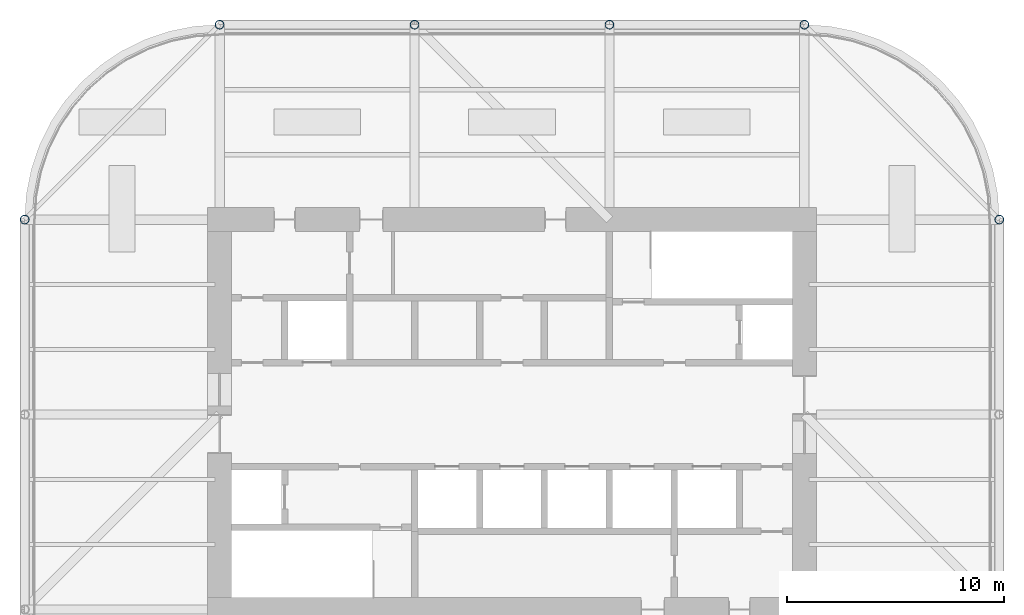
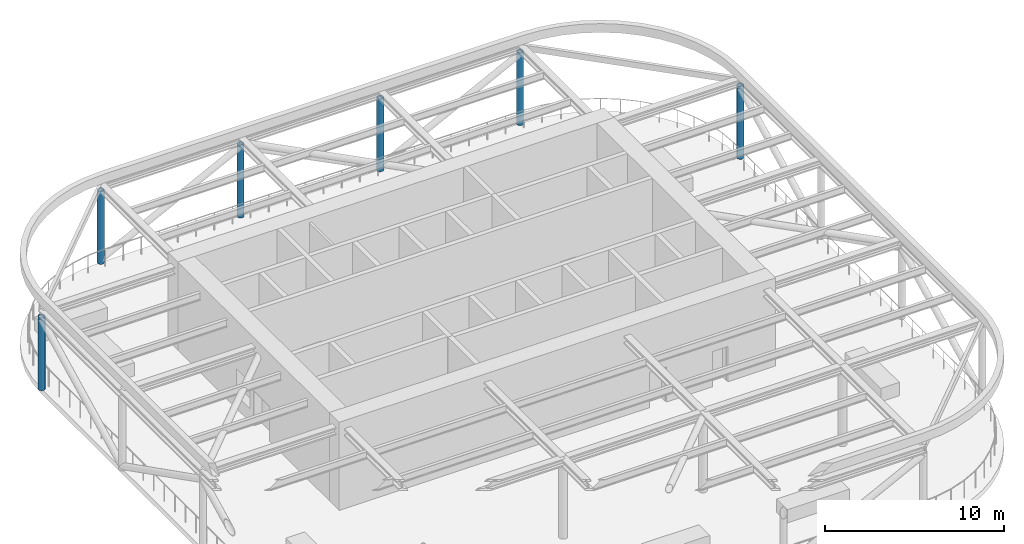
# One storey, part 3 of 8: 6 columns.
"""IFC4 building model written with IfcOpenShell, lengths in metres."""

from ifc_helpers import new_model, si_unit, direction, frame, origin, origin_2d, place, context, subcontext, project, spatial, hollow_circle, extrude, material, material_profile, profile_set, type_object, element, save


model = new_model("IFC4")

# Units and contexts
model_context = context("Model", 3, precision=1e-05, world=origin(), true_north=direction((0.0, 1.0)))
body_context = subcontext(model_context, "Body", "Model", "MODEL_VIEW")
ifc_project = project(units=[si_unit("LENGTHUNIT", "METRE"), si_unit("AREAUNIT", "SQUARE_METRE"), si_unit("VOLUMEUNIT", "CUBIC_METRE"), si_unit("PLANEANGLEUNIT", "RADIAN"), si_unit("MASSUNIT", "GRAM", prefix="KILO")], contexts=[model_context])

# Site, building, storey
site_placement = place(None, origin())
site = spatial("IfcSite", under=ifc_project, at=site_placement, CompositionType="ELEMENT")
building_placement = place(site_placement, origin())
building = spatial("IfcBuilding", under=site, at=building_placement, Name="Zorevar Civic Tower", CompositionType="ELEMENT")
storey_placement = place(building_placement, frame((0.0, 0.0, 311.800048828125)))
storey = spatial("IfcBuildingStorey", under=building, at=storey_placement, Name="RF", CompositionType="ELEMENT", Elevation=311.800048828125)

# Columns
ifc_material = material(Name="Steel S355, intumescent coating", Category="steel")
ifc_material_profile = material_profile(ifc_material, hollow_circle(Radius=0.203125, WallThickness=0.01611328125, at=origin_2d()), Name="CHS 406.4x16")
ifc_profile_set = profile_set([ifc_material_profile], Name="Steel S355, intumescent coating")
column_type = type_object("IfcColumnType", Name="Canopy post CHS 406.4x16", PredefinedType="COLUMN", material=ifc_profile_set)
for number, where, z_axis, x_axis, name in (
    (1, (9.0, 36.0, 0.0), (0.0, 0.0, 1.0), (1.0, 0.0, 0.0), "Canopy post 3E"),
    (2, (18.0, 45.0, 0.0), (0.0, 0.0, 1.0), (1.0, 0.0, 0.0), "Canopy post 4F"),
    (3, (27.0, 45.0, 0.0), (0.0, 0.0, 1.0), (1.0, 0.0, 0.0), "Canopy post 5F"),
    (4, (36.0, 45.0, 0.0), (0.0, 0.0, 1.0), (1.0, 0.0, 0.0), "Canopy post 6F"),
    (5, (45.0, 45.0, 0.0), (0.0, 0.0, 1.0), (1.0, 0.0, 0.0), "Canopy post 7F"),
    (6, (54.0, 36.0, 0.0), (0.0, 0.0, 1.0), (1.0, 0.0, 0.0), "Canopy post 8E"),
):
    element("IfcColumn", number, at=place(storey_placement, frame(where, z_axis=z_axis, x_axis=x_axis)), inside=storey, type_object=column_type, Name=name, PredefinedType="COLUMN", context=body_context, shape_type="SweptSolid", body=[
        extrude(hollow_circle(Radius=0.203125, WallThickness=0.01611328125, at=origin_2d()), origin(), (0.0, 0.0, 1.0), 4.951904296875),
    ])

save(model, "model.ifc")
